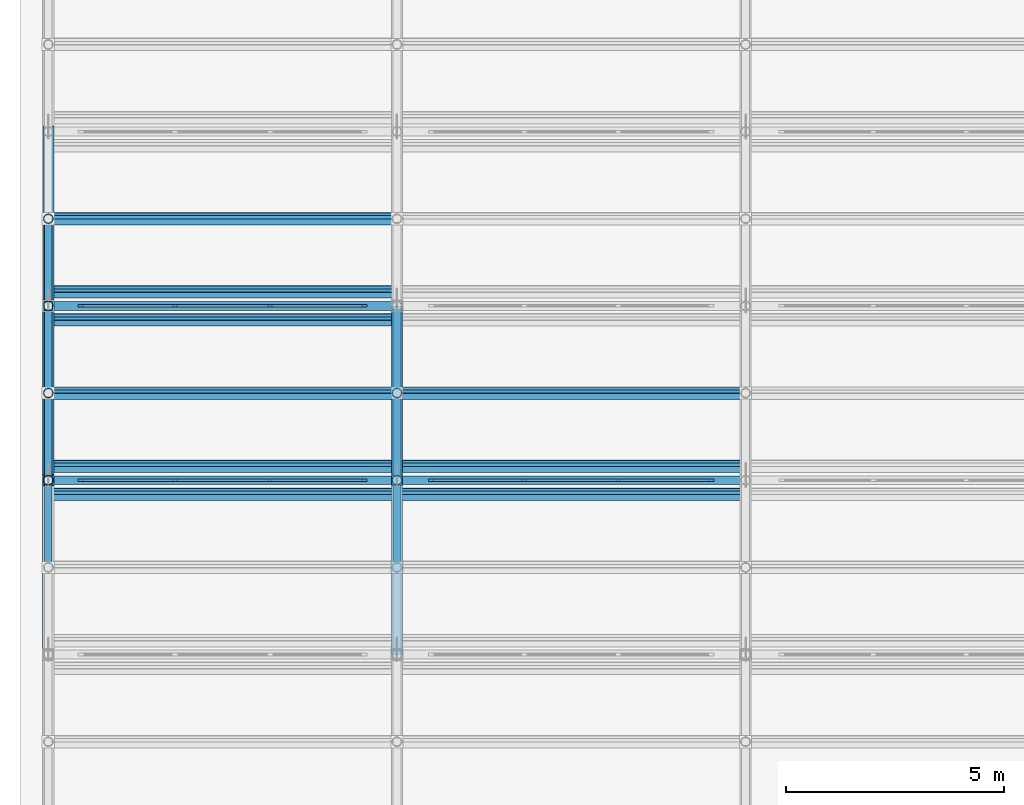
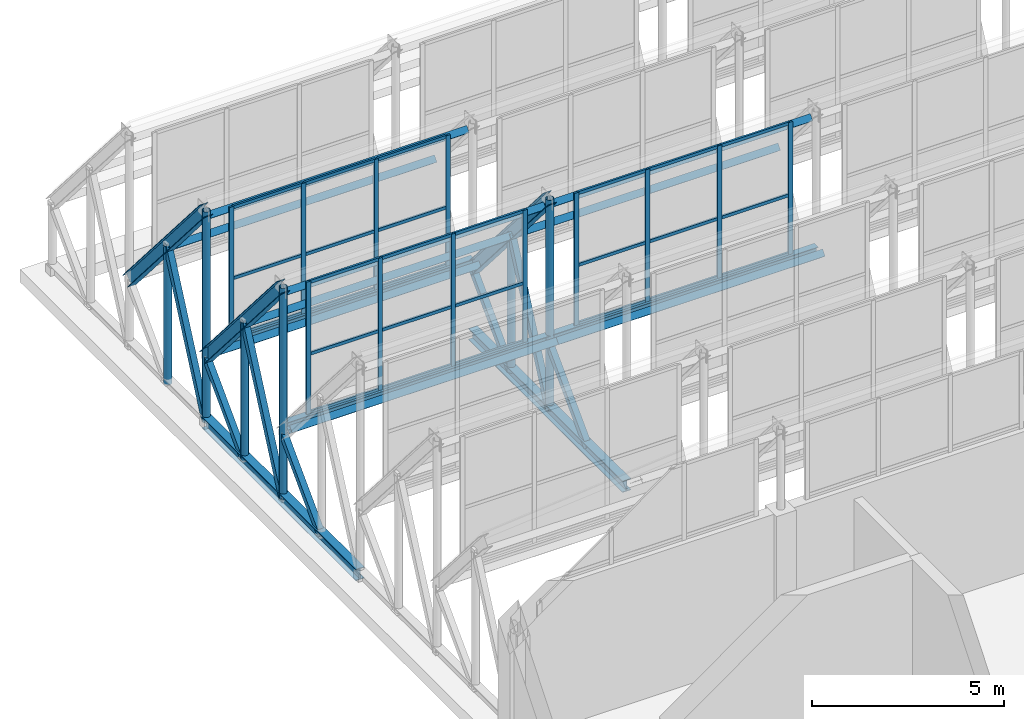
# One storey, part 25 of 43: 64 members, 5 beams, 3 elements without a shape of their own.
"""IFC4 building model written with IfcOpenShell, lengths in metres."""

from ifc_helpers import new_model, si_unit, direction, frame, origin, origin_2d, place, context, subcontext, project, spatial, rectangle, hollow_rectangle, hollow_circle, i_section, extrude, material, layer, layer_set, material_profile, profile_set, type_object, element, aggregate, save


model = new_model("IFC4")

# Units and contexts
model_context = context("Model", 3, precision=1e-05, world=origin(), true_north=direction((0.0, 1.0)))
body_context = subcontext(model_context, "Body", "Model", "MODEL_VIEW")
ifc_project = project(units=[si_unit("LENGTHUNIT", "METRE"), si_unit("AREAUNIT", "SQUARE_METRE"), si_unit("VOLUMEUNIT", "CUBIC_METRE"), si_unit("PLANEANGLEUNIT", "RADIAN"), si_unit("MASSUNIT", "GRAM", prefix="KILO")], contexts=[model_context])

# Site, building, storey
site_placement = place(None, origin())
site = spatial("IfcSite", under=ifc_project, at=site_placement, CompositionType="ELEMENT")
building_placement = place(site_placement, origin())
building = spatial("IfcBuilding", under=site, at=building_placement, Name="Qorikala Patio Media Centre", CompositionType="ELEMENT")
storey_placement = place(building_placement, frame((0.0, 0.0, 18.89990234375)))
storey = spatial("IfcBuildingStorey", under=building, at=storey_placement, Name="L04", CompositionType="ELEMENT", Elevation=18.89990234375)

# Members
ifc_material_1 = material(Name="Steel S355", Category="steel")
ifc_material_profile_1 = material_profile(ifc_material_1, hollow_rectangle(XDim=0.179931640625, YDim=0.179931640625, WallThickness=0.008056640625, at=origin_2d()), Name="HSS180X180X8")
ifc_profile_set_1 = profile_set([ifc_material_profile_1], Name="Steel S355")
member_type_1 = type_object("IfcMemberType", Name="BRACE-HSS180", PredefinedType="BRACE", material=ifc_profile_set_1)
member_1_placement = place(storey_placement, frame((3.0, 82.0, 0.35009765625), z_axis=(0.0, 0.698315330267, 0.715790262238), x_axis=(-1.0, 0.0, 0.0)))
element("IfcMember", 1, at=member_1_placement, inside=storey, type_object=member_type_1, Name="SAW-V4 Truss 1 Bay 3 Web Diagonal 2", PredefinedType="BRACE", context=body_context, shape_type="SweptSolid", body=[
    extrude(hollow_rectangle(XDim=0.179931640625, YDim=0.179931640625, WallThickness=0.008056640625, at=origin_2d()), origin(), (0.0, 0.0, 1.0), 2.864013671875),
])
member_2_placement = place(storey_placement, frame((3.0, 84.0, 0.35009765625), z_axis=(0.0, 0.415759760268, 0.909474475586), x_axis=(-1.0, 0.0, 0.0)))
element("IfcMember", 2, at=member_2_placement, inside=storey, type_object=member_type_1, Name="SAW-V4 Truss 1 Bay 4 Web Diagonal 1", PredefinedType="BRACE", context=body_context, shape_type="SweptSolid", body=[
    extrude(hollow_rectangle(XDim=0.179931640625, YDim=0.179931640625, WallThickness=0.008056640625, at=origin_2d()), origin(), (0.0, 0.0, 1.0), 4.810546875),
])
member_3_placement = place(storey_placement, frame((3.0, 86.0, 0.35009765625), z_axis=(0.0, 0.698315330267, 0.715790262238), x_axis=(-1.0, 0.0, 0.0)))
element("IfcMember", 3, at=member_3_placement, inside=storey, type_object=member_type_1, Name="SAW-V4 Truss 1 Bay 4 Web Diagonal 2", PredefinedType="BRACE", context=body_context, shape_type="SweptSolid", body=[
    extrude(hollow_rectangle(XDim=0.179931640625, YDim=0.179931640625, WallThickness=0.008056640625, at=origin_2d()), origin(), (0.0, 0.0, 1.0), 2.864013671875),
])
member_4_placement = place(storey_placement, frame((3.0, 88.0, 0.35009765625), z_axis=(0.0, 0.415759760268, 0.909474475586), x_axis=(-1.0, 0.0, 0.0)))
element("IfcMember", 4, at=member_4_placement, inside=storey, type_object=member_type_1, Name="SAW-V4 Truss 1 Bay 5 Web Diagonal 1", PredefinedType="BRACE", context=body_context, shape_type="SweptSolid", body=[
    extrude(hollow_rectangle(XDim=0.179931640625, YDim=0.179931640625, WallThickness=0.008056640625, at=origin_2d()), origin(), (0.0, 0.0, 1.0), 4.810546875),
])
member_5_placement = place(storey_placement, frame((11.0, 82.0, 0.35009765625), z_axis=(0.0, 0.698315330267, 0.715790262238), x_axis=(-1.0, 0.0, 0.0)))
element("IfcMember", 5, at=member_5_placement, inside=storey, type_object=member_type_1, Name="SAW-V4 Truss 2 Bay 3 Web Diagonal 2", PredefinedType="BRACE", context=body_context, shape_type="SweptSolid", body=[
    extrude(hollow_rectangle(XDim=0.179931640625, YDim=0.179931640625, WallThickness=0.008056640625, at=origin_2d()), origin(), (0.0, 0.0, 1.0), 2.864013671875),
])
member_6_placement = place(storey_placement, frame((11.0, 84.0, 0.35009765625), z_axis=(0.0, 0.415759760268, 0.909474475586), x_axis=(-1.0, 0.0, 0.0)))
element("IfcMember", 6, at=member_6_placement, inside=storey, type_object=member_type_1, Name="SAW-V4 Truss 2 Bay 4 Web Diagonal 1", PredefinedType="BRACE", context=body_context, shape_type="SweptSolid", body=[
    extrude(hollow_rectangle(XDim=0.179931640625, YDim=0.179931640625, WallThickness=0.008056640625, at=origin_2d()), origin(), (0.0, 0.0, 1.0), 4.810546875),
])
member_7_placement = place(storey_placement, frame((11.0, 86.0, 0.35009765625), z_axis=(0.0, 0.698315330267, 0.715790262238), x_axis=(-1.0, 0.0, 0.0)))
element("IfcMember", 7, at=member_7_placement, inside=storey, type_object=member_type_1, Name="SAW-V4 Truss 2 Bay 4 Web Diagonal 2", PredefinedType="BRACE", context=body_context, shape_type="SweptSolid", body=[
    extrude(hollow_rectangle(XDim=0.179931640625, YDim=0.179931640625, WallThickness=0.008056640625, at=origin_2d()), origin(), (0.0, 0.0, 1.0), 2.864013671875),
])
ifc_material_profile_2 = material_profile(ifc_material_1, i_section(OverallWidth=0.25390625, OverallDepth=0.35302734375, WebThickness=0.009521484375, FlangeThickness=0.016357421875, at=origin_2d()), Name="W360X91")
ifc_profile_set_2 = profile_set([ifc_material_profile_2], Name="Steel S355")
member_type_2 = type_object("IfcMemberType", Name="CHORD-W360X91", PredefinedType="CHORD", material=ifc_profile_set_2)
for number, where, z_axis, x_axis, name in (
    (8, (3.0, 84.0, 7.050048828125), (0.0, 0.652140853929, -0.758097821285), (-1.0, 0.0, 0.0), "SAW-V4 Truss 1 Bay 4 Sloped Top Chord"),
    (9, (3.0, 88.0, 7.050048828125), (0.0, 0.652140853929, -0.758097821285), (-1.0, 0.0, 0.0), "SAW-V4 Truss 1 Bay 5 Sloped Top Chord"),
    (10, (11.0, 84.0, 7.050048828125), (0.0, 0.652140853929, -0.758097821285), (-1.0, 0.0, 0.0), "SAW-V4 Truss 2 Bay 4 Sloped Top Chord"),
):
    element("IfcMember", number, at=place(storey_placement, frame(where, z_axis=z_axis, x_axis=x_axis)), inside=storey, type_object=member_type_2, Name=name, PredefinedType="CHORD", context=body_context, shape_type="SweptSolid", body=[
        extrude(i_section(OverallWidth=0.25390625, OverallDepth=0.35302734375, WebThickness=0.009521484375, FlangeThickness=0.016357421875, at=origin_2d()), origin(), (0.0, 0.0, 1.0), 6.133544921875),
    ])

# Curtain wall, members
ifc_material_2 = material(Name="Bronze Anodised Aluminium and Low-E Glass", Category="aluminium")
ifc_layer_1 = layer(ifc_material_2, 0.159912109375)
ifc_layer_set_1 = layer_set([ifc_layer_1], Name="Bronze Anodised Aluminium and Low-E Glass")
curtain_wall_type_1 = type_object("IfcCurtainWallType", Name="CW-SAW-656X420", PredefinedType="USERDEFINED", material=ifc_layer_set_1)
curtain_wall_1_placement = place(storey_placement, origin())
curtain_wall_1 = element("IfcCurtainWall", 11, at=curtain_wall_1_placement, inside=storey, type_object=curtain_wall_type_1, Name="L04 Sawtooth Glazing 151", ObjectType="SAWTOOTH GLAZING", PredefinedType="USERDEFINED")
ifc_material_3 = material(Name="Bronze Anodised Aluminium", Category="aluminium")
ifc_material_profile_3 = material_profile(ifc_material_3, rectangle(XDim=0.06005859375, YDim=0.1298828125, at=origin_2d()), Name="ALU MULLION 60x130")
ifc_profile_set_3 = profile_set([ifc_material_profile_3], Name="Bronze Anodised Aluminium")
member_type_3 = type_object("IfcMemberType", Name="CWM-60X130", PredefinedType="MULLION", material=ifc_profile_set_3)
member_8_placement = place(storey_placement, frame((3.75, 84.0, 2.75), z_axis=(0.0, 0.0, 1.0), x_axis=(0.0, 1.0, 0.0)))
member_8 = element("IfcMember", 12, at=member_8_placement, type_object=member_type_3, Name="CWS656420 mullion 1", PredefinedType="MULLION", context=body_context, shape_type="SweptSolid", body=[
    extrude(rectangle(XDim=0.06005859375, YDim=0.1298828125, at=origin_2d()), origin(), (0.0, 0.0, 1.0), 4.2001953125),
])
member_9_placement = place(storey_placement, frame((5.90673828125, 84.0, 2.75), z_axis=(0.0, 0.0, 1.0), x_axis=(0.0, 1.0, 0.0)))
member_9 = element("IfcMember", 13, at=member_9_placement, type_object=member_type_3, Name="CWS656420 mullion 2", PredefinedType="MULLION", context=body_context, shape_type="SweptSolid", body=[
    extrude(rectangle(XDim=0.06005859375, YDim=0.1298828125, at=origin_2d()), origin(), (0.0, 0.0, 1.0), 4.2001953125),
])
member_10_placement = place(storey_placement, frame((8.09326171875, 84.0, 2.75), z_axis=(0.0, 0.0, 1.0), x_axis=(0.0, 1.0, 0.0)))
member_10 = element("IfcMember", 14, at=member_10_placement, type_object=member_type_3, Name="CWS656420 mullion 3", PredefinedType="MULLION", context=body_context, shape_type="SweptSolid", body=[
    extrude(rectangle(XDim=0.06005859375, YDim=0.1298828125, at=origin_2d()), origin(), (0.0, 0.0, 1.0), 4.2001953125),
])
member_11_placement = place(storey_placement, frame((10.25, 84.0, 2.75), z_axis=(0.0, 0.0, 1.0), x_axis=(0.0, 1.0, 0.0)))
member_11 = element("IfcMember", 15, at=member_11_placement, type_object=member_type_3, Name="CWS656420 mullion 4", PredefinedType="MULLION", context=body_context, shape_type="SweptSolid", body=[
    extrude(rectangle(XDim=0.06005859375, YDim=0.1298828125, at=origin_2d()), origin(), (0.0, 0.0, 1.0), 4.2001953125),
])

ifc_layer_2 = layer(ifc_material_2, 0.159912109375)
ifc_layer_set_2 = layer_set([ifc_layer_2], Name="Bronze Anodised Aluminium and Low-E Glass")
curtain_wall_type_2 = type_object("IfcCurtainWallType", Name="CW-SAW-648X420", PredefinedType="USERDEFINED", material=ifc_layer_set_2)
curtain_wall_2_placement = place(storey_placement, origin())
curtain_wall_2 = element("IfcCurtainWall", 16, at=curtain_wall_2_placement, inside=storey, type_object=curtain_wall_type_2, Name="L04 Sawtooth Glazing 152", ObjectType="SAWTOOTH GLAZING", PredefinedType="USERDEFINED")
member_12_placement = place(storey_placement, frame((11.7900390625, 84.0, 2.75), z_axis=(0.0, 0.0, 1.0), x_axis=(0.0, 1.0, 0.0)))
member_12 = element("IfcMember", 17, at=member_12_placement, type_object=member_type_3, Name="CWS648420 mullion 1", PredefinedType="MULLION", context=body_context, shape_type="SweptSolid", body=[
    extrude(rectangle(XDim=0.06005859375, YDim=0.1298828125, at=origin_2d()), origin(), (0.0, 0.0, 1.0), 4.2001953125),
])
member_13_placement = place(storey_placement, frame((13.919921875, 84.0, 2.75), z_axis=(0.0, 0.0, 1.0), x_axis=(0.0, 1.0, 0.0)))
member_13 = element("IfcMember", 18, at=member_13_placement, type_object=member_type_3, Name="CWS648420 mullion 2", PredefinedType="MULLION", context=body_context, shape_type="SweptSolid", body=[
    extrude(rectangle(XDim=0.06005859375, YDim=0.1298828125, at=origin_2d()), origin(), (0.0, 0.0, 1.0), 4.2001953125),
])
member_14_placement = place(storey_placement, frame((16.080078125, 84.0, 2.75), z_axis=(0.0, 0.0, 1.0), x_axis=(0.0, 1.0, 0.0)))
member_14 = element("IfcMember", 19, at=member_14_placement, type_object=member_type_3, Name="CWS648420 mullion 3", PredefinedType="MULLION", context=body_context, shape_type="SweptSolid", body=[
    extrude(rectangle(XDim=0.06005859375, YDim=0.1298828125, at=origin_2d()), origin(), (0.0, 0.0, 1.0), 4.2001953125),
])
member_15_placement = place(storey_placement, frame((18.2099609375, 84.0, 2.75), z_axis=(0.0, 0.0, 1.0), x_axis=(0.0, 1.0, 0.0)))
member_15 = element("IfcMember", 20, at=member_15_placement, type_object=member_type_3, Name="CWS648420 mullion 4", PredefinedType="MULLION", context=body_context, shape_type="SweptSolid", body=[
    extrude(rectangle(XDim=0.06005859375, YDim=0.1298828125, at=origin_2d()), origin(), (0.0, 0.0, 1.0), 4.2001953125),
])

ifc_layer_3 = layer(ifc_material_2, 0.159912109375)
ifc_layer_set_3 = layer_set([ifc_layer_3], Name="Bronze Anodised Aluminium and Low-E Glass")
curtain_wall_type_3 = type_object("IfcCurtainWallType", Name="CW-SAW-656X414", PredefinedType="USERDEFINED", material=ifc_layer_set_3)
curtain_wall_3_placement = place(storey_placement, origin())
curtain_wall_3 = element("IfcCurtainWall", 21, at=curtain_wall_3_placement, inside=storey, type_object=curtain_wall_type_3, Name="L04 Sawtooth Glazing 154", ObjectType="SAWTOOTH GLAZING", PredefinedType="USERDEFINED")
member_16_placement = place(storey_placement, frame((3.75, 88.0, 2.75), z_axis=(0.0, 0.0, 1.0), x_axis=(0.0, 1.0, 0.0)))
member_16 = element("IfcMember", 22, at=member_16_placement, type_object=member_type_3, Name="CWS656414 mullion 1", PredefinedType="MULLION", context=body_context, shape_type="SweptSolid", body=[
    extrude(rectangle(XDim=0.06005859375, YDim=0.1298828125, at=origin_2d()), origin(), (0.0, 0.0, 1.0), 4.14013671875),
])
member_17_placement = place(storey_placement, frame((5.90673828125, 88.0, 2.75), z_axis=(0.0, 0.0, 1.0), x_axis=(0.0, 1.0, 0.0)))
member_17 = element("IfcMember", 23, at=member_17_placement, type_object=member_type_3, Name="CWS656414 mullion 2", PredefinedType="MULLION", context=body_context, shape_type="SweptSolid", body=[
    extrude(rectangle(XDim=0.06005859375, YDim=0.1298828125, at=origin_2d()), origin(), (0.0, 0.0, 1.0), 4.14013671875),
])
member_18_placement = place(storey_placement, frame((8.09326171875, 88.0, 2.75), z_axis=(0.0, 0.0, 1.0), x_axis=(0.0, 1.0, 0.0)))
member_18 = element("IfcMember", 24, at=member_18_placement, type_object=member_type_3, Name="CWS656414 mullion 3", PredefinedType="MULLION", context=body_context, shape_type="SweptSolid", body=[
    extrude(rectangle(XDim=0.06005859375, YDim=0.1298828125, at=origin_2d()), origin(), (0.0, 0.0, 1.0), 4.14013671875),
])
member_19_placement = place(storey_placement, frame((10.25, 88.0, 2.75), z_axis=(0.0, 0.0, 1.0), x_axis=(0.0, 1.0, 0.0)))
member_19 = element("IfcMember", 25, at=member_19_placement, type_object=member_type_3, Name="CWS656414 mullion 4", PredefinedType="MULLION", context=body_context, shape_type="SweptSolid", body=[
    extrude(rectangle(XDim=0.06005859375, YDim=0.1298828125, at=origin_2d()), origin(), (0.0, 0.0, 1.0), 4.14013671875),
])

# Member
ifc_material_profile_4 = material_profile(ifc_material_3, rectangle(XDim=0.06005859375, YDim=0.10009765625, at=origin_2d()), Name="ALU TRANSOM 60x100")
ifc_profile_set_4 = profile_set([ifc_material_profile_4], Name="Bronze Anodised Aluminium")
member_type_4 = type_object("IfcMemberType", Name="CWT-60X100", PredefinedType="USERDEFINED", material=ifc_profile_set_4)
member_20_placement = place(storey_placement, frame((3.780029296875, 84.0, 2.780029296875), z_axis=(1.0, 0.0, 0.0), x_axis=(0.0, 1.0, 0.0)))
member_20 = element("IfcMember", 26, at=member_20_placement, type_object=member_type_4, Name="CWS656420 transom 1.1", ObjectType="TRANSOM", PredefinedType="USERDEFINED", context=body_context, shape_type="SweptSolid", body=[
    extrude(rectangle(XDim=0.06005859375, YDim=0.10009765625, at=origin_2d()), origin(), (0.0, 0.0, 1.0), 2.0966796875),
])

member_21_placement = place(storey_placement, frame((3.780029296875, 84.0, 4.64013671875), z_axis=(1.0, 0.0, 0.0), x_axis=(0.0, 1.0, 0.0)))
member_21 = element("IfcMember", 27, at=member_21_placement, type_object=member_type_4, Name="CWS656420 transom 1.2", ObjectType="TRANSOM", PredefinedType="USERDEFINED", context=body_context, shape_type="SweptSolid", body=[
    extrude(rectangle(XDim=0.06005859375, YDim=0.10009765625, at=origin_2d()), origin(), (0.0, 0.0, 1.0), 2.0966796875),
])

member_22_placement = place(storey_placement, frame((3.780029296875, 84.0, 6.920166015625), z_axis=(1.0, 0.0, 0.0), x_axis=(0.0, 1.0, 0.0)))
member_22 = element("IfcMember", 28, at=member_22_placement, type_object=member_type_4, Name="CWS656420 transom 1.3", ObjectType="TRANSOM", PredefinedType="USERDEFINED", context=body_context, shape_type="SweptSolid", body=[
    extrude(rectangle(XDim=0.06005859375, YDim=0.10009765625, at=origin_2d()), origin(), (0.0, 0.0, 1.0), 2.0966796875),
])

member_23_placement = place(storey_placement, frame((5.936767578125, 84.0, 2.780029296875), z_axis=(1.0, 0.0, 0.0), x_axis=(0.0, 1.0, 0.0)))
member_23 = element("IfcMember", 29, at=member_23_placement, type_object=member_type_4, Name="CWS656420 transom 2.1", ObjectType="TRANSOM", PredefinedType="USERDEFINED", context=body_context, shape_type="SweptSolid", body=[
    extrude(rectangle(XDim=0.06005859375, YDim=0.10009765625, at=origin_2d()), origin(), (0.0, 0.0, 1.0), 2.12646484375),
])

member_24_placement = place(storey_placement, frame((5.936767578125, 84.0, 4.64013671875), z_axis=(1.0, 0.0, 0.0), x_axis=(0.0, 1.0, 0.0)))
member_24 = element("IfcMember", 30, at=member_24_placement, type_object=member_type_4, Name="CWS656420 transom 2.2", ObjectType="TRANSOM", PredefinedType="USERDEFINED", context=body_context, shape_type="SweptSolid", body=[
    extrude(rectangle(XDim=0.06005859375, YDim=0.10009765625, at=origin_2d()), origin(), (0.0, 0.0, 1.0), 2.12646484375),
])

member_25_placement = place(storey_placement, frame((5.936767578125, 84.0, 6.920166015625), z_axis=(1.0, 0.0, 0.0), x_axis=(0.0, 1.0, 0.0)))
member_25 = element("IfcMember", 31, at=member_25_placement, type_object=member_type_4, Name="CWS656420 transom 2.3", ObjectType="TRANSOM", PredefinedType="USERDEFINED", context=body_context, shape_type="SweptSolid", body=[
    extrude(rectangle(XDim=0.06005859375, YDim=0.10009765625, at=origin_2d()), origin(), (0.0, 0.0, 1.0), 2.12646484375),
])

member_26_placement = place(storey_placement, frame((8.123291015625, 84.0, 2.780029296875), z_axis=(1.0, 0.0, 0.0), x_axis=(0.0, 1.0, 0.0)))
member_26 = element("IfcMember", 32, at=member_26_placement, type_object=member_type_4, Name="CWS656420 transom 3.1", ObjectType="TRANSOM", PredefinedType="USERDEFINED", context=body_context, shape_type="SweptSolid", body=[
    extrude(rectangle(XDim=0.06005859375, YDim=0.10009765625, at=origin_2d()), origin(), (0.0, 0.0, 1.0), 2.0966796875),
])

member_27_placement = place(storey_placement, frame((8.123291015625, 84.0, 4.64013671875), z_axis=(1.0, 0.0, 0.0), x_axis=(0.0, 1.0, 0.0)))
member_27 = element("IfcMember", 33, at=member_27_placement, type_object=member_type_4, Name="CWS656420 transom 3.2", ObjectType="TRANSOM", PredefinedType="USERDEFINED", context=body_context, shape_type="SweptSolid", body=[
    extrude(rectangle(XDim=0.06005859375, YDim=0.10009765625, at=origin_2d()), origin(), (0.0, 0.0, 1.0), 2.0966796875),
])

member_28_placement = place(storey_placement, frame((8.123291015625, 84.0, 6.920166015625), z_axis=(1.0, 0.0, 0.0), x_axis=(0.0, 1.0, 0.0)))
member_28 = element("IfcMember", 34, at=member_28_placement, type_object=member_type_4, Name="CWS656420 transom 3.3", ObjectType="TRANSOM", PredefinedType="USERDEFINED", context=body_context, shape_type="SweptSolid", body=[
    extrude(rectangle(XDim=0.06005859375, YDim=0.10009765625, at=origin_2d()), origin(), (0.0, 0.0, 1.0), 2.0966796875),
])

aggregate(curtain_wall_1, [member_8, member_9, member_10, member_11, member_20, member_21, member_22, member_23, member_24, member_25, member_26, member_27, member_28])

member_29_placement = place(storey_placement, frame((11.820068359375, 84.0, 2.780029296875), z_axis=(1.0, 0.0, 0.0), x_axis=(0.0, 1.0, 0.0)))
member_29 = element("IfcMember", 35, at=member_29_placement, type_object=member_type_4, Name="CWS648420 transom 1.1", ObjectType="TRANSOM", PredefinedType="USERDEFINED", context=body_context, shape_type="SweptSolid", body=[
    extrude(rectangle(XDim=0.06005859375, YDim=0.10009765625, at=origin_2d()), origin(), (0.0, 0.0, 1.0), 2.06982421875),
])

member_30_placement = place(storey_placement, frame((11.820068359375, 84.0, 4.64013671875), z_axis=(1.0, 0.0, 0.0), x_axis=(0.0, 1.0, 0.0)))
member_30 = element("IfcMember", 36, at=member_30_placement, type_object=member_type_4, Name="CWS648420 transom 1.2", ObjectType="TRANSOM", PredefinedType="USERDEFINED", context=body_context, shape_type="SweptSolid", body=[
    extrude(rectangle(XDim=0.06005859375, YDim=0.10009765625, at=origin_2d()), origin(), (0.0, 0.0, 1.0), 2.06982421875),
])

member_31_placement = place(storey_placement, frame((11.820068359375, 84.0, 6.920166015625), z_axis=(1.0, 0.0, 0.0), x_axis=(0.0, 1.0, 0.0)))
member_31 = element("IfcMember", 37, at=member_31_placement, type_object=member_type_4, Name="CWS648420 transom 1.3", ObjectType="TRANSOM", PredefinedType="USERDEFINED", context=body_context, shape_type="SweptSolid", body=[
    extrude(rectangle(XDim=0.06005859375, YDim=0.10009765625, at=origin_2d()), origin(), (0.0, 0.0, 1.0), 2.06982421875),
])

member_32_placement = place(storey_placement, frame((13.949951171875, 84.0, 2.780029296875), z_axis=(1.0, 0.0, 0.0), x_axis=(0.0, 1.0, 0.0)))
member_32 = element("IfcMember", 38, at=member_32_placement, type_object=member_type_4, Name="CWS648420 transom 2.1", ObjectType="TRANSOM", PredefinedType="USERDEFINED", context=body_context, shape_type="SweptSolid", body=[
    extrude(rectangle(XDim=0.06005859375, YDim=0.10009765625, at=origin_2d()), origin(), (0.0, 0.0, 1.0), 2.10009765625),
])

member_33_placement = place(storey_placement, frame((13.949951171875, 84.0, 4.64013671875), z_axis=(1.0, 0.0, 0.0), x_axis=(0.0, 1.0, 0.0)))
member_33 = element("IfcMember", 39, at=member_33_placement, type_object=member_type_4, Name="CWS648420 transom 2.2", ObjectType="TRANSOM", PredefinedType="USERDEFINED", context=body_context, shape_type="SweptSolid", body=[
    extrude(rectangle(XDim=0.06005859375, YDim=0.10009765625, at=origin_2d()), origin(), (0.0, 0.0, 1.0), 2.10009765625),
])

member_34_placement = place(storey_placement, frame((13.949951171875, 84.0, 6.920166015625), z_axis=(1.0, 0.0, 0.0), x_axis=(0.0, 1.0, 0.0)))
member_34 = element("IfcMember", 40, at=member_34_placement, type_object=member_type_4, Name="CWS648420 transom 2.3", ObjectType="TRANSOM", PredefinedType="USERDEFINED", context=body_context, shape_type="SweptSolid", body=[
    extrude(rectangle(XDim=0.06005859375, YDim=0.10009765625, at=origin_2d()), origin(), (0.0, 0.0, 1.0), 2.10009765625),
])

member_35_placement = place(storey_placement, frame((16.110107421875, 84.0, 2.780029296875), z_axis=(1.0, 0.0, 0.0), x_axis=(0.0, 1.0, 0.0)))
member_35 = element("IfcMember", 41, at=member_35_placement, type_object=member_type_4, Name="CWS648420 transom 3.1", ObjectType="TRANSOM", PredefinedType="USERDEFINED", context=body_context, shape_type="SweptSolid", body=[
    extrude(rectangle(XDim=0.06005859375, YDim=0.10009765625, at=origin_2d()), origin(), (0.0, 0.0, 1.0), 2.06982421875),
])

member_36_placement = place(storey_placement, frame((16.110107421875, 84.0, 4.64013671875), z_axis=(1.0, 0.0, 0.0), x_axis=(0.0, 1.0, 0.0)))
member_36 = element("IfcMember", 42, at=member_36_placement, type_object=member_type_4, Name="CWS648420 transom 3.2", ObjectType="TRANSOM", PredefinedType="USERDEFINED", context=body_context, shape_type="SweptSolid", body=[
    extrude(rectangle(XDim=0.06005859375, YDim=0.10009765625, at=origin_2d()), origin(), (0.0, 0.0, 1.0), 2.06982421875),
])

member_37_placement = place(storey_placement, frame((16.110107421875, 84.0, 6.920166015625), z_axis=(1.0, 0.0, 0.0), x_axis=(0.0, 1.0, 0.0)))
member_37 = element("IfcMember", 43, at=member_37_placement, type_object=member_type_4, Name="CWS648420 transom 3.3", ObjectType="TRANSOM", PredefinedType="USERDEFINED", context=body_context, shape_type="SweptSolid", body=[
    extrude(rectangle(XDim=0.06005859375, YDim=0.10009765625, at=origin_2d()), origin(), (0.0, 0.0, 1.0), 2.06982421875),
])

aggregate(curtain_wall_2, [member_12, member_13, member_14, member_15, member_29, member_30, member_31, member_32, member_33, member_34, member_35, member_36, member_37])

member_38_placement = place(storey_placement, frame((3.780029296875, 88.0, 2.780029296875), z_axis=(1.0, 0.0, 0.0), x_axis=(0.0, 1.0, 0.0)))
member_38 = element("IfcMember", 44, at=member_38_placement, type_object=member_type_4, Name="CWS656414 transom 1.1", ObjectType="TRANSOM", PredefinedType="USERDEFINED", context=body_context, shape_type="SweptSolid", body=[
    extrude(rectangle(XDim=0.06005859375, YDim=0.10009765625, at=origin_2d()), origin(), (0.0, 0.0, 1.0), 2.0966796875),
])

member_39_placement = place(storey_placement, frame((3.780029296875, 88.0, 4.613037109375), z_axis=(1.0, 0.0, 0.0), x_axis=(0.0, 1.0, 0.0)))
member_39 = element("IfcMember", 45, at=member_39_placement, type_object=member_type_4, Name="CWS656414 transom 1.2", ObjectType="TRANSOM", PredefinedType="USERDEFINED", context=body_context, shape_type="SweptSolid", body=[
    extrude(rectangle(XDim=0.06005859375, YDim=0.10009765625, at=origin_2d()), origin(), (0.0, 0.0, 1.0), 2.0966796875),
])

member_40_placement = place(storey_placement, frame((3.780029296875, 88.0, 6.860107421875), z_axis=(1.0, 0.0, 0.0), x_axis=(0.0, 1.0, 0.0)))
member_40 = element("IfcMember", 46, at=member_40_placement, type_object=member_type_4, Name="CWS656414 transom 1.3", ObjectType="TRANSOM", PredefinedType="USERDEFINED", context=body_context, shape_type="SweptSolid", body=[
    extrude(rectangle(XDim=0.06005859375, YDim=0.10009765625, at=origin_2d()), origin(), (0.0, 0.0, 1.0), 2.0966796875),
])

member_41_placement = place(storey_placement, frame((5.936767578125, 88.0, 2.780029296875), z_axis=(1.0, 0.0, 0.0), x_axis=(0.0, 1.0, 0.0)))
member_41 = element("IfcMember", 47, at=member_41_placement, type_object=member_type_4, Name="CWS656414 transom 2.1", ObjectType="TRANSOM", PredefinedType="USERDEFINED", context=body_context, shape_type="SweptSolid", body=[
    extrude(rectangle(XDim=0.06005859375, YDim=0.10009765625, at=origin_2d()), origin(), (0.0, 0.0, 1.0), 2.12646484375),
])

member_42_placement = place(storey_placement, frame((5.936767578125, 88.0, 4.613037109375), z_axis=(1.0, 0.0, 0.0), x_axis=(0.0, 1.0, 0.0)))
member_42 = element("IfcMember", 48, at=member_42_placement, type_object=member_type_4, Name="CWS656414 transom 2.2", ObjectType="TRANSOM", PredefinedType="USERDEFINED", context=body_context, shape_type="SweptSolid", body=[
    extrude(rectangle(XDim=0.06005859375, YDim=0.10009765625, at=origin_2d()), origin(), (0.0, 0.0, 1.0), 2.12646484375),
])

member_43_placement = place(storey_placement, frame((5.936767578125, 88.0, 6.860107421875), z_axis=(1.0, 0.0, 0.0), x_axis=(0.0, 1.0, 0.0)))
member_43 = element("IfcMember", 49, at=member_43_placement, type_object=member_type_4, Name="CWS656414 transom 2.3", ObjectType="TRANSOM", PredefinedType="USERDEFINED", context=body_context, shape_type="SweptSolid", body=[
    extrude(rectangle(XDim=0.06005859375, YDim=0.10009765625, at=origin_2d()), origin(), (0.0, 0.0, 1.0), 2.12646484375),
])

member_44_placement = place(storey_placement, frame((8.123291015625, 88.0, 2.780029296875), z_axis=(1.0, 0.0, 0.0), x_axis=(0.0, 1.0, 0.0)))
member_44 = element("IfcMember", 50, at=member_44_placement, type_object=member_type_4, Name="CWS656414 transom 3.1", ObjectType="TRANSOM", PredefinedType="USERDEFINED", context=body_context, shape_type="SweptSolid", body=[
    extrude(rectangle(XDim=0.06005859375, YDim=0.10009765625, at=origin_2d()), origin(), (0.0, 0.0, 1.0), 2.0966796875),
])

member_45_placement = place(storey_placement, frame((8.123291015625, 88.0, 4.613037109375), z_axis=(1.0, 0.0, 0.0), x_axis=(0.0, 1.0, 0.0)))
member_45 = element("IfcMember", 51, at=member_45_placement, type_object=member_type_4, Name="CWS656414 transom 3.2", ObjectType="TRANSOM", PredefinedType="USERDEFINED", context=body_context, shape_type="SweptSolid", body=[
    extrude(rectangle(XDim=0.06005859375, YDim=0.10009765625, at=origin_2d()), origin(), (0.0, 0.0, 1.0), 2.0966796875),
])

member_46_placement = place(storey_placement, frame((8.123291015625, 88.0, 6.860107421875), z_axis=(1.0, 0.0, 0.0), x_axis=(0.0, 1.0, 0.0)))
member_46 = element("IfcMember", 52, at=member_46_placement, type_object=member_type_4, Name="CWS656414 transom 3.3", ObjectType="TRANSOM", PredefinedType="USERDEFINED", context=body_context, shape_type="SweptSolid", body=[
    extrude(rectangle(XDim=0.06005859375, YDim=0.10009765625, at=origin_2d()), origin(), (0.0, 0.0, 1.0), 2.0966796875),
])

aggregate(curtain_wall_3, [member_16, member_17, member_18, member_19, member_38, member_39, member_40, member_41, member_42, member_43, member_44, member_45, member_46])

# Members
ifc_material_profile_5 = material_profile(ifc_material_1, i_section(OverallWidth=0.202880859375, OverallDepth=0.202880859375, WebThickness=0.007080078125, FlangeThickness=0.010986328125, at=origin_2d()), Name="W200X46")
ifc_profile_set_5 = profile_set([ifc_material_profile_5], Name="Steel S355")
member_type_5 = type_object("IfcMemberType", Name="PURLIN-W200X46", PredefinedType="PURLIN", material=ifc_profile_set_5)
for number, where, z_axis, x_axis, name in (
    (53, (3.0, 83.679931640625, 2.6904296875), (1.0, 0.0, 0.0), (0.0, 0.652138098758, 0.758100191366), "SAW-V4 Bay 3 Roof Purlin"),
    (54, (11.0, 83.679931640625, 2.6904296875), (1.0, 0.0, 0.0), (0.0, 0.652138098758, 0.758100191366), "SAW-V4 Bay 3 Roof Purlin"),
    (55, (3.0, 84.320068359375, 6.596435546875), (1.0, 0.0, 0.0), (0.0, 0.652138098758, 0.758100191366), "SAW-V4 Bay 4 Roof Purlin"),
    (56, (11.0, 84.320068359375, 6.596435546875), (1.0, 0.0, 0.0), (0.0, 0.652138098758, 0.758100191366), "SAW-V4 Bay 4 Roof Purlin"),
    (57, (3.0, 86.0, 4.643310546875), (1.0, 0.0, 0.0), (0.0, 0.652138098758, 0.758100191366), "SAW-V4 Bay 4 Roof Purlin"),
    (58, (11.0, 86.0, 4.643310546875), (1.0, 0.0, 0.0), (0.0, 0.652138098758, 0.758100191366), "SAW-V4 Bay 4 Roof Purlin"),
    (59, (3.0, 87.679931640625, 2.6904296875), (1.0, 0.0, 0.0), (0.0, 0.652138098758, 0.758100191366), "SAW-V4 Bay 4 Roof Purlin"),
    (60, (3.0, 88.320068359375, 6.596435546875), (1.0, 0.0, 0.0), (0.0, 0.652138098758, 0.758100191366), "SAW-V4 Bay 5 Roof Purlin"),
    (61, (3.0, 90.0, 4.643310546875), (1.0, 0.0, 0.0), (0.0, 0.652138098758, 0.758100191366), "SAW-V4 Bay 5 Roof Purlin"),
):
    element("IfcMember", number, at=place(storey_placement, frame(where, z_axis=z_axis, x_axis=x_axis)), inside=storey, type_object=member_type_5, Name=name, PredefinedType="PURLIN", context=body_context, shape_type="SweptSolid", body=[
        extrude(i_section(OverallWidth=0.202880859375, OverallDepth=0.202880859375, WebThickness=0.007080078125, FlangeThickness=0.010986328125, at=origin_2d()), origin(), (0.0, 0.0, 1.0), 8.0),
    ])

# Beams
ifc_material_profile_6 = material_profile(ifc_material_1, i_section(OverallWidth=0.202880859375, OverallDepth=0.251953125, WebThickness=0.008056640625, FlangeThickness=0.013427734375, at=origin_2d()), Name="W250X58")
ifc_profile_set_6 = profile_set([ifc_material_profile_6], Name="Steel S355")
beam_type_1 = type_object("IfcBeamType", Name="SBM-W250X58", PredefinedType="BEAM", material=ifc_profile_set_6)
for number, where, z_axis, x_axis, name in (
    (62, (3.0, 84.0, 2.625), (1.0, 0.0, 0.0), (0.0, 1.0, 0.0), "Sawtooth V4 Clerestory Sill Beam 4.1"),
    (63, (11.0, 84.0, 2.625), (1.0, 0.0, 0.0), (0.0, 1.0, 0.0), "Sawtooth V4 Clerestory Sill Beam 4.2"),
    (64, (3.0, 88.0, 2.625), (1.0, 0.0, 0.0), (0.0, 1.0, 0.0), "Sawtooth V4 Clerestory Sill Beam 5.1"),
):
    element("IfcBeam", number, at=place(storey_placement, frame(where, z_axis=z_axis, x_axis=x_axis)), inside=storey, type_object=beam_type_1, Name=name, PredefinedType="BEAM", context=body_context, shape_type="SweptSolid", body=[
        extrude(i_section(OverallWidth=0.202880859375, OverallDepth=0.251953125, WebThickness=0.008056640625, FlangeThickness=0.013427734375, at=origin_2d()), origin(), (0.0, 0.0, 1.0), 8.0),
    ])
ifc_material_profile_7 = material_profile(ifc_material_1, i_section(OverallWidth=0.257080078125, OverallDepth=0.363037109375, WebThickness=0.012939453125, FlangeThickness=0.021728515625, at=origin_2d()), Name="W360X122")
ifc_profile_set_7 = profile_set([ifc_material_profile_7], Name="Steel S355")
beam_type_2 = type_object("IfcBeamType", Name="SBM-W360X122", PredefinedType="BEAM", material=ifc_profile_set_7)
for number, where, z_axis, x_axis, name in (
    (65, (3.0, 80.0, 0.35009765625), (0.0, 1.0, 0.0), (-1.0, 0.0, 0.0), "SAW-V4 Longitudinal Truss Tie Girder X=3"),
    (66, (11.0, 80.0, 0.35009765625), (0.0, 1.0, 0.0), (-1.0, 0.0, 0.0), "SAW-V4 Longitudinal Truss Tie Girder X=11"),
):
    element("IfcBeam", number, at=place(storey_placement, frame(where, z_axis=z_axis, x_axis=x_axis)), inside=storey, type_object=beam_type_2, Name=name, PredefinedType="BEAM", context=body_context, shape_type="SweptSolid", body=[
        extrude(i_section(OverallWidth=0.257080078125, OverallDepth=0.363037109375, WebThickness=0.012939453125, FlangeThickness=0.021728515625, at=origin_2d()), origin(), (0.0, 0.0, 1.0), 8.0),
    ])

# Members
ifc_material_profile_8 = material_profile(ifc_material_1, hollow_circle(Radius=0.109619140625, WallThickness=0.008056640625, at=origin_2d()), Name="CHS219X8")
ifc_profile_set_8 = profile_set([ifc_material_profile_8], Name="Steel S355")
member_type_6 = type_object("IfcMemberType", Name="STRUT-CHS219", PredefinedType="STRUT", material=ifc_profile_set_8)
member_47_placement = place(storey_placement, frame((3.0, 84.0, 0.35009765625), z_axis=(0.0, 0.0, 1.0), x_axis=(1.0, 0.0, 0.0)))
element("IfcMember", 67, at=member_47_placement, inside=storey, type_object=member_type_6, Name="SAW-V4 Truss 1 Bay 4 Clerestory Post", PredefinedType="STRUT", context=body_context, shape_type="SweptSolid", body=[
    extrude(hollow_circle(Radius=0.109619140625, WallThickness=0.008056640625, at=origin_2d()), origin(), (0.0, 0.0, 1.0), 6.699951171875),
])
member_48_placement = place(storey_placement, frame((3.0, 86.0, 0.35009765625), z_axis=(0.0, 0.0, 1.0), x_axis=(1.0, 0.0, 0.0)))
element("IfcMember", 68, at=member_48_placement, inside=storey, type_object=member_type_6, Name="SAW-V4 Truss 1 Bay 4 Mid Strut", PredefinedType="STRUT", context=body_context, shape_type="SweptSolid", body=[
    extrude(hollow_circle(Radius=0.109619140625, WallThickness=0.008056640625, at=origin_2d()), origin(), (0.0, 0.0, 1.0), 4.375),
])
member_49_placement = place(storey_placement, frame((3.0, 88.0, 0.35009765625), z_axis=(0.0, 0.0, 1.0), x_axis=(1.0, 0.0, 0.0)))
element("IfcMember", 69, at=member_49_placement, inside=storey, type_object=member_type_6, Name="SAW-V4 Truss 1 Bay 5 Clerestory Post", PredefinedType="STRUT", context=body_context, shape_type="SweptSolid", body=[
    extrude(hollow_circle(Radius=0.109619140625, WallThickness=0.008056640625, at=origin_2d()), origin(), (0.0, 0.0, 1.0), 6.699951171875),
])
member_50_placement = place(storey_placement, frame((3.0, 90.0, 0.35009765625), z_axis=(0.0, 0.0, 1.0), x_axis=(1.0, 0.0, 0.0)))
element("IfcMember", 70, at=member_50_placement, inside=storey, type_object=member_type_6, Name="SAW-V4 Truss 1 Bay 5 Mid Strut", PredefinedType="STRUT", context=body_context, shape_type="SweptSolid", body=[
    extrude(hollow_circle(Radius=0.109619140625, WallThickness=0.008056640625, at=origin_2d()), origin(), (0.0, 0.0, 1.0), 4.375),
])
member_51_placement = place(storey_placement, frame((11.0, 84.0, 0.35009765625), z_axis=(0.0, 0.0, 1.0), x_axis=(1.0, 0.0, 0.0)))
element("IfcMember", 71, at=member_51_placement, inside=storey, type_object=member_type_6, Name="SAW-V4 Truss 2 Bay 4 Clerestory Post", PredefinedType="STRUT", context=body_context, shape_type="SweptSolid", body=[
    extrude(hollow_circle(Radius=0.109619140625, WallThickness=0.008056640625, at=origin_2d()), origin(), (0.0, 0.0, 1.0), 6.699951171875),
])
member_52_placement = place(storey_placement, frame((11.0, 86.0, 0.35009765625), z_axis=(0.0, 0.0, 1.0), x_axis=(1.0, 0.0, 0.0)))
element("IfcMember", 72, at=member_52_placement, inside=storey, type_object=member_type_6, Name="SAW-V4 Truss 2 Bay 4 Mid Strut", PredefinedType="STRUT", context=body_context, shape_type="SweptSolid", body=[
    extrude(hollow_circle(Radius=0.109619140625, WallThickness=0.008056640625, at=origin_2d()), origin(), (0.0, 0.0, 1.0), 4.375),
])

save(model, "model.ifc")
